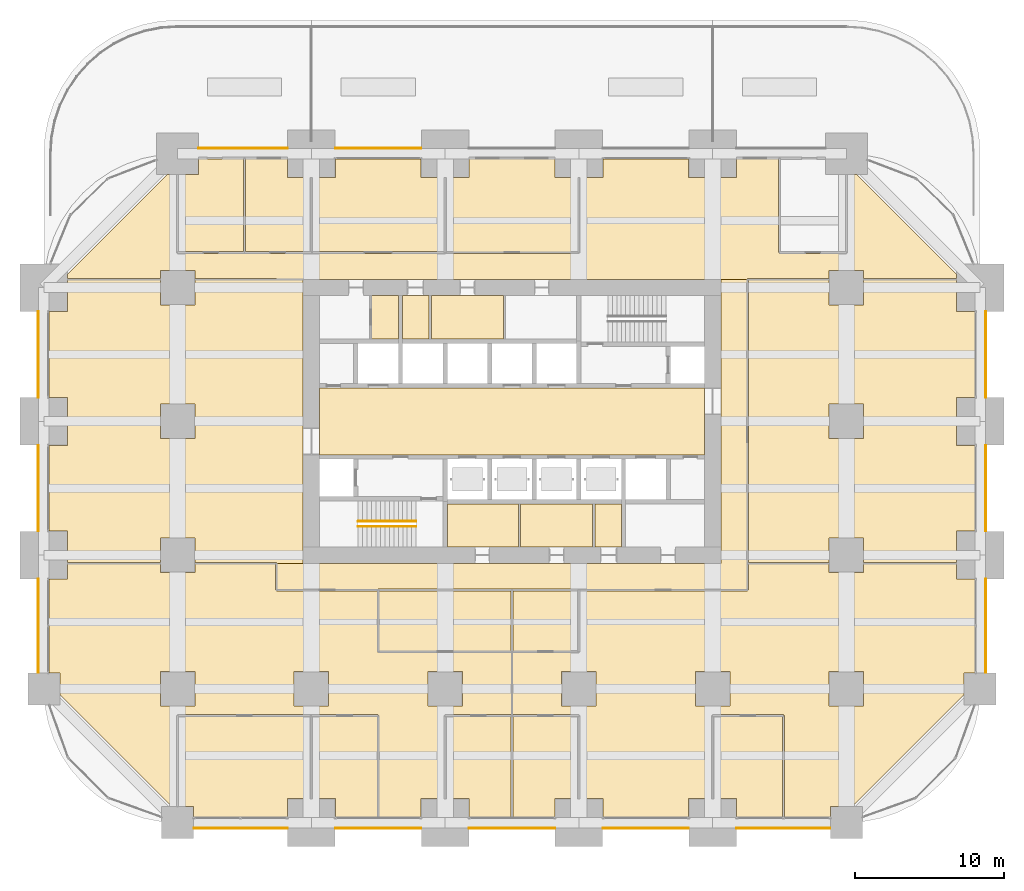
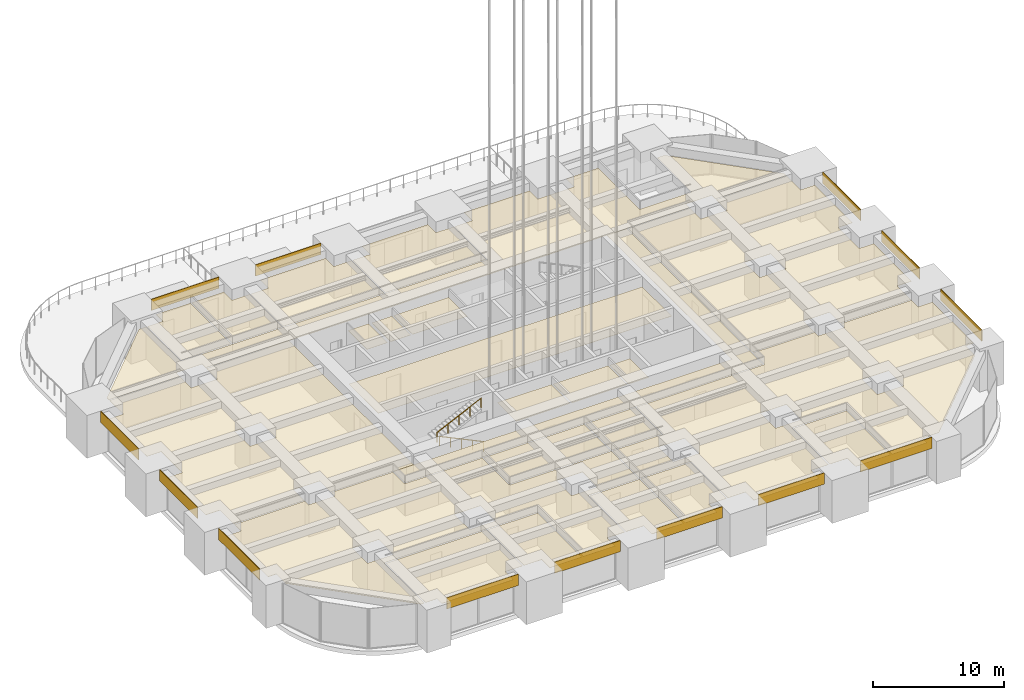
# One storey, part 40 of 50: 37 coverings, 2 railings.
"""IFC4 building model written with IfcOpenShell, lengths in metres."""

import ifcopenshell
import ifcopenshell.guid

model = None  # the IFC model being written
_history = None  # IfcOwnerHistory: only IFC2X3 demands one
_inside = {}  # id of a spatial element -> (the spatial element, [elements in it])
_under = {}  # id of a project, library or spatial element -> (it, [spatial elements below it])
_declared = {}  # id of a project -> (the project, [libraries it declares])
_typed = {}  # id of a type object -> (the type object, [elements of that type])
_made_of = {}  # id of a material, layer set ... -> (it, [elements and type objects made of it])


def new_model(schema):
    """Start an empty IFC model of exactly this schema.

    Asked for "IFC4X3", IfcOpenShell would pick the latest addendum, in which some entities
    have other attributes; the version numbers below select the first issue.
    IFC2X3 requires an IfcOwnerHistory on every rooted entity: one is made here for all.
    """
    global model, _history
    if schema == "IFC4X3":
        model = ifcopenshell.file(schema_version=(4, 3, 0, 0))
    else:
        model = ifcopenshell.file(schema=schema)
    _inside.clear()
    _under.clear()
    _declared.clear()
    _typed.clear()
    _made_of.clear()
    _history = None
    if model.schema == "IFC2X3":
        org = make("IfcOrganization", Name="unknown")
        user = make(
            "IfcPersonAndOrganization",
            ThePerson=make("IfcPerson", FamilyName="unknown"),
            TheOrganization=org,
        )
        app = make(
            "IfcApplication",
            ApplicationDeveloper=org,
            Version="unknown",
            ApplicationFullName="unknown",
            ApplicationIdentifier="unknown",
        )
        _history = make(
            "IfcOwnerHistory",
            OwningUser=user,
            OwningApplication=app,
            ChangeAction="ADDED",
            CreationDate=0,
        )
    return model


def make(cls, **values):
    """One entity of the class cls with the attributes given. An attribute that is None is left unset."""
    return model.create_entity(
        cls, **{name: value for name, value in values.items() if value is not None}
    )


def rooted(cls, **values):
    """An entity with a GlobalId (a new one), such as an element, a storey or a relation."""
    return make(cls, GlobalId=ifcopenshell.guid.new(), OwnerHistory=_history, **values)


def si_unit(unit_type, name, prefix=None):
    """IfcSIUnit, for example si_unit("LENGTHUNIT", "METRE", prefix="MILLI")."""
    return make("IfcSIUnit", UnitType=unit_type, Prefix=prefix, Name=name)


def assignment(units):
    """IfcUnitAssignment: the units of a project."""
    return None if units is None else make("IfcUnitAssignment", Units=units)


def point(xyz):
    """IfcCartesianPoint."""
    return None if xyz is None else make("IfcCartesianPoint", Coordinates=xyz)


def direction(xyz):
    """IfcDirection."""
    return None if xyz is None else make("IfcDirection", DirectionRatios=xyz)


def frame(location, z_axis=None, x_axis=None):
    """IfcAxis2Placement3D, a coordinate frame: its origin and axes. An axis left out is left unset."""
    return make(
        "IfcAxis2Placement3D",
        Location=point(location),
        Axis=direction(z_axis),
        RefDirection=direction(x_axis),
    )


def frame_2d(location, x_axis=None):
    """IfcAxis2Placement2D, a coordinate frame in the plane: its origin and x axis."""
    return make(
        "IfcAxis2Placement2D", Location=point(location), RefDirection=direction(x_axis)
    )


def origin():
    """The frame at (0, 0, 0) with its axes left unset."""
    return frame((0.0, 0.0, 0.0))


def origin_2d():
    """The frame at (0, 0) in the plane with its x axis left unset."""
    return frame_2d((0.0, 0.0))


def place(relative_to, where):
    """IfcLocalPlacement: puts the frame where relative to a parent placement (None: the world)."""
    return make(
        "IfcLocalPlacement", PlacementRelTo=relative_to, RelativePlacement=where
    )


def context(
    kind, dimensions, precision=None, world=None, true_north=None, identifier=None
):
    """IfcGeometricRepresentationContext, for example the 3D "Model" context."""
    return make(
        "IfcGeometricRepresentationContext",
        ContextIdentifier=identifier,
        ContextType=kind,
        CoordinateSpaceDimension=dimensions,
        Precision=precision,
        WorldCoordinateSystem=world,
        TrueNorth=true_north,
    )


def subcontext(parent, identifier, kind, view, scale=None):
    """IfcGeometricRepresentationSubContext, for example "Body" below "Model"."""
    return make(
        "IfcGeometricRepresentationSubContext",
        ContextIdentifier=identifier,
        ContextType=kind,
        ParentContext=parent,
        TargetScale=scale,
        TargetView=view,
    )


def project(units=None, contexts=None):
    """IfcProject with its units and contexts."""
    return rooted(
        "IfcProject",
        Name="project",
        RepresentationContexts=contexts,
        UnitsInContext=assignment(units),
    )


def spatial(cls, under=None, at=None, **own):
    """A site, building, storey or space (cls), placed at a placement, below another one or the project."""
    s = rooted(cls, ObjectPlacement=at, **own)
    if under is not None:
        _under.setdefault(under.id(), (under, []))[1].append(s)
    return s


def polyline(points):
    """IfcPolyline through the points."""
    return make("IfcPolyline", Points=[point(p) for p in points])


def profile(cls, at=None, kind="AREA", **sizes):
    """A parametric profile (cls). Its sizes go by their IFC names, for example OverallWidth=200.0."""
    return make(cls, ProfileType=kind, Position=at, **sizes)


def rectangle(**sizes):
    """IfcRectangleProfileDef."""
    return profile("IfcRectangleProfileDef", **sizes)


def circle(**sizes):
    """IfcCircleProfileDef."""
    return profile("IfcCircleProfileDef", **sizes)


def outline(outer, holes=None, kind="AREA"):
    """IfcArbitraryClosedProfileDef: a profile drawn as a closed curve; with holes, ...WithVoids."""
    if holes is None:
        return make("IfcArbitraryClosedProfileDef", ProfileType=kind, OuterCurve=outer)
    return make(
        "IfcArbitraryProfileDefWithVoids",
        ProfileType=kind,
        OuterCurve=outer,
        InnerCurves=holes,
    )


def extrude(swept, where, along, depth):
    """IfcExtrudedAreaSolid: the profile swept, set in the frame where, extruded along a direction by depth."""
    return make(
        "IfcExtrudedAreaSolid",
        SweptArea=swept,
        Position=where,
        ExtrudedDirection=direction(along),
        Depth=depth,
    )


def shape(context_of_items, identifier, shape_type, items):
    """IfcShapeRepresentation: the items that make up one representation, for example the "Body"."""
    return make(
        "IfcShapeRepresentation",
        ContextOfItems=context_of_items,
        RepresentationIdentifier=identifier,
        RepresentationType=shape_type,
        Items=items,
    )


def material(Name=None, Category=None):
    """IfcMaterial."""
    return make("IfcMaterial", Name=Name, Category=Category)


def layer(
    of_material, thickness, ventilated=None, Name=None, Category=None, Priority=None
):
    """IfcMaterialLayer: one layer of a wall or slab, of a material (None: an air gap)."""
    return make(
        "IfcMaterialLayer",
        Material=of_material,
        LayerThickness=thickness,
        IsVentilated=ventilated,
        Name=Name,
        Category=Category,
        Priority=Priority,
    )


def layer_set(layers, Name=None):
    """IfcMaterialLayerSet."""
    return make("IfcMaterialLayerSet", MaterialLayers=layers, LayerSetName=Name)


def made_of(thing, what):
    """Note that an element or type object is made of a material, layer set ...; save() writes the relation."""
    if what is not None:
        _made_of.setdefault(what.id(), (what, []))[1].append(thing)
    return thing


def type_object(cls, material=None, **own):
    """A type object (cls), such as IfcWallType, which elements share."""
    return made_of(rooted(cls, **own), material)


def element(
    cls,
    number,
    at=None,
    inside=None,
    cuts=None,
    type_object=None,
    material=None,
    context=None,
    identifier="Body",
    shape_type=None,
    held_by="IfcProductDefinitionShape",
    body=None,
    shapes=None,
    **own,
):
    """One element of the class cls, such as IfcWall. Its Tag is "e" and its number.

    at: its placement. inside: the storey or other place that contains it. cuts: it is an
    opening in that element (IfcRelVoidsElement). A single representation is given by context,
    identifier, shape_type and body (its items); several are given by shapes. held_by: the class
    of the entity that holds the representations. save() writes the other relations.
    """
    e = rooted(cls, Tag="e%d" % number, ObjectPlacement=at, **own)
    if body is not None:
        shapes = [shape(context, identifier, shape_type, body)]
    if shapes is not None:
        e.Representation = make(held_by, Representations=shapes)
    if inside is not None:
        _inside.setdefault(inside.id(), (inside, []))[1].append(e)
    if cuts is not None:
        rooted(
            "IfcRelVoidsElement", RelatingBuildingElement=cuts, RelatedOpeningElement=e
        )
    if type_object is not None:
        _typed.setdefault(type_object.id(), (type_object, []))[1].append(e)
    return made_of(e, material)


def aggregate(whole, parts):
    """IfcRelAggregates: a whole, such as a stair, and the parts it consists of."""
    return rooted("IfcRelAggregates", RelatingObject=whole, RelatedObjects=parts)


def save(model, path):
    """Write the relations noted so far, then the file.

    IfcRelAggregates (storeys below a building ...), IfcRelContainedInSpatialStructure (elements
    in a storey), IfcRelDefinesByType, IfcRelAssociatesMaterial and IfcRelDeclares: one each for
    every whole, place, type object, material and project.
    """
    for whole, parts in _under.values():
        aggregate(whole, parts)
    for where, things in _inside.values():
        rooted(
            "IfcRelContainedInSpatialStructure",
            RelatedElements=things,
            RelatingStructure=where,
        )
    for kind, things in _typed.values():
        rooted("IfcRelDefinesByType", RelatedObjects=things, RelatingType=kind)
    for what, things in _made_of.values():
        rooted("IfcRelAssociatesMaterial", RelatedObjects=things, RelatingMaterial=what)
    for by, libraries in _declared.values():
        rooted("IfcRelDeclares", RelatingContext=by, RelatedDefinitions=libraries)
    model.write(path)


model = new_model("IFC4")

# Units and contexts
model_context = context("Model", 3, precision=1e-05, world=origin(), true_north=direction((0.0, 1.0)))
body_context = subcontext(model_context, "Body", "Model", "MODEL_VIEW")
ifc_project = project(units=[si_unit("LENGTHUNIT", "METRE"), si_unit("AREAUNIT", "SQUARE_METRE"), si_unit("VOLUMEUNIT", "CUBIC_METRE"), si_unit("PLANEANGLEUNIT", "RADIAN"), si_unit("MASSUNIT", "GRAM", prefix="KILO")], contexts=[model_context])

# Site, building, storey
site_placement = place(None, origin())
site = spatial("IfcSite", under=ifc_project, at=site_placement, CompositionType="ELEMENT")
building_placement = place(site_placement, origin())
building = spatial("IfcBuilding", under=site, at=building_placement, Name="Zorevar Civic Tower", CompositionType="ELEMENT")
storey_placement = place(building_placement, frame((0.0, 0.0, 85.0)))
storey = spatial("IfcBuildingStorey", under=building, at=storey_placement, Name="L20", CompositionType="ELEMENT", Elevation=85.0)

# Railings
ifc_material_1 = material(Name="Black steel handrail", Category="steel")
railing_type = type_object("IfcRailingType", Name="Handrail HR1 900", PredefinedType="HANDRAIL", material=ifc_material_1)
railing_1_placement = place(storey_placement, frame((25.050048828125, 19.925048828125, 0.142822265625)))
element("IfcRailing", 1, at=railing_1_placement, inside=storey, type_object=railing_type, Name="Handrail HR1 ST1 L20", PredefinedType="HANDRAIL", context=body_context, shape_type="SweptSolid", body=[
    extrude(circle(Radius=0.02392578125, at=origin_2d()), frame((0.0, 0.0, 0.8759765625), z_axis=(-0.902863652845, 0.0, 0.429926998885), x_axis=(0.0, -1.0, 0.0)), (0.0, 0.0, 1.0), 4.31982421875),
    extrude(circle(Radius=0.02099609375, at=origin_2d()), origin(), (0.0, 0.0, 1.0), 0.851806640625),
    extrude(circle(Radius=0.02099609375, at=origin_2d()), frame((-0.97509765625, 0.0, 0.46435546875)), (0.0, 0.0, 1.0), 0.851806640625),
    extrude(circle(Radius=0.02099609375, at=origin_2d()), frame((-1.9501953125, 0.0, 0.9287109375)), (0.0, 0.0, 1.0), 0.851806640625),
    extrude(circle(Radius=0.02099609375, at=origin_2d()), frame((-2.925048828125, 0.0, 1.392822265625)), (0.0, 0.0, 1.0), 0.851806640625),
    extrude(circle(Radius=0.02099609375, at=origin_2d()), frame((-3.900146484375, 0.0, 1.857177734375)), (0.0, 0.0, 1.0), 0.851806640625),
])
railing_2_placement = place(storey_placement, frame((21.14990234375, 20.27490234375, 2.142822265625)))
element("IfcRailing", 2, at=railing_2_placement, inside=storey, type_object=railing_type, Name="Handrail HR1 ST1 L20", PredefinedType="HANDRAIL", context=body_context, shape_type="SweptSolid", body=[
    extrude(circle(Radius=0.02392578125, at=origin_2d()), frame((0.0, 0.0, 0.8759765625), z_axis=(0.902863652845, 0.0, 0.429926998885), x_axis=(0.0, 1.0, 0.0)), (0.0, 0.0, 1.0), 4.31982421875),
    extrude(circle(Radius=0.02099609375, at=origin_2d()), origin(), (0.0, 0.0, 1.0), 0.851806640625),
    extrude(circle(Radius=0.02099609375, at=origin_2d()), frame((0.97509765625, 0.0, 0.46435546875)), (0.0, 0.0, 1.0), 0.851806640625),
    extrude(circle(Radius=0.02099609375, at=origin_2d()), frame((1.9501953125, 0.0, 0.9287109375)), (0.0, 0.0, 1.0), 0.851806640625),
    extrude(circle(Radius=0.02099609375, at=origin_2d()), frame((2.925048828125, 0.0, 1.392822265625)), (0.0, 0.0, 1.0), 0.851806640625),
    extrude(circle(Radius=0.02099609375, at=origin_2d()), frame((3.900146484375, 0.0, 1.857177734375)), (0.0, 0.0, 1.0), 0.851806640625),
])

# Coverings
ifc_material_2 = material(Name="Moisture-resistant gypsum board")
ifc_layer_1 = layer(ifc_material_2, 0.012451171875)
ifc_layer_set_1 = layer_set([ifc_layer_1], Name="Moisture-resistant ceiling SC3")
covering_type_1 = type_object("IfcCoveringType", Name="Moisture-resistant ceiling SC3", PredefinedType="CEILING", material=ifc_layer_set_1)
covering_1_placement = place(storey_placement, frame((0.0, 0.0, 3.0)))
element("IfcCovering", 3, at=covering_1_placement, inside=storey, type_object=covering_type_1, Name="Ceiling L20-05", PredefinedType="CEILING", context=body_context, shape_type="SweptSolid", body=[
    extrude(outline(polyline([(31.925048828125, 18.550048828125), (31.925048828125, 21.449951171875), (27.14990234375, 21.449951171875), (27.14990234375, 18.550048828125), (31.925048828125, 18.550048828125)])), origin(), (0.0, 0.0, 1.0), 0.012451171875),
])
covering_2_placement = place(storey_placement, frame((0.0, 0.0, 3.0)))
element("IfcCovering", 4, at=covering_2_placement, inside=storey, type_object=covering_type_1, Name="Ceiling L20-06", PredefinedType="CEILING", context=body_context, shape_type="SweptSolid", body=[
    extrude(outline(polyline([(36.925048828125, 18.550048828125), (36.925048828125, 21.449951171875), (32.074951171875, 21.449951171875), (32.074951171875, 18.550048828125), (36.925048828125, 18.550048828125)])), origin(), (0.0, 0.0, 1.0), 0.012451171875),
])
covering_3_placement = place(storey_placement, frame((0.0, 0.0, 3.0)))
element("IfcCovering", 5, at=covering_3_placement, inside=storey, type_object=covering_type_1, Name="Ceiling L20-07", PredefinedType="CEILING", context=body_context, shape_type="SweptSolid", body=[
    extrude(outline(polyline([(38.85009765625, 18.550048828125), (38.85009765625, 21.449951171875), (37.074951171875, 21.449951171875), (37.074951171875, 18.550048828125), (38.85009765625, 18.550048828125)])), origin(), (0.0, 0.0, 1.0), 0.012451171875),
])
covering_4_placement = place(storey_placement, frame((0.0, 0.0, 3.0)))
element("IfcCovering", 6, at=covering_4_placement, inside=storey, type_object=covering_type_1, Name="Ceiling L20-09", PredefinedType="CEILING", context=body_context, shape_type="SweptSolid", body=[
    extrude(outline(polyline([(30.925048828125, 32.550048828125), (30.925048828125, 35.449951171875), (26.074951171875, 35.449951171875), (26.074951171875, 32.550048828125), (30.925048828125, 32.550048828125)])), origin(), (0.0, 0.0, 1.0), 0.012451171875),
])
covering_5_placement = place(storey_placement, frame((0.0, 0.0, 3.0)))
element("IfcCovering", 7, at=covering_5_placement, inside=storey, type_object=covering_type_1, Name="Ceiling L20-10", PredefinedType="CEILING", context=body_context, shape_type="SweptSolid", body=[
    extrude(outline(polyline([(25.925048828125, 32.550048828125), (25.925048828125, 35.449951171875), (24.14990234375, 35.449951171875), (24.14990234375, 32.550048828125), (25.925048828125, 32.550048828125)])), origin(), (0.0, 0.0, 1.0), 0.012451171875),
])
ifc_material_3 = material(Name="Black anodised aluminium spandrel panel", Category="aluminium")
ifc_layer_2 = layer(ifc_material_3, 0.050048828125)
ifc_layer_set_2 = layer_set([ifc_layer_2], Name="Spandrel cladding SP1")
covering_type_2 = type_object("IfcCoveringType", Name="Spandrel cladding SP1", PredefinedType="CLADDING", material=ifc_layer_set_2)
covering_6_placement = place(storey_placement, frame((10.074951171875, -0.375, 2.949951171875), z_axis=(0.0, 0.0, 1.0), x_axis=(1.0, 0.0, 0.0)))
element("IfcCovering", 8, at=covering_6_placement, inside=storey, type_object=covering_type_2, Name="Spandrel cladding L21", PredefinedType="CLADDING", context=body_context, shape_type="SweptSolid", body=[
    extrude(rectangle(XDim=6.324951171875, YDim=0.050048828125, at=frame_2d((3.16259765625, 0.0))), origin(), (0.0, 0.0, 1.0), 1.050048828125),
])
for number, where, z_axis, x_axis, name in (
    (9, (19.60009765625, -0.375, 2.949951171875), (0.0, 0.0, 1.0), (1.0, 0.0, 0.0), "Spandrel cladding L21"),
    (10, (28.60009765625, -0.375, 2.949951171875), (0.0, 0.0, 1.0), (1.0, 0.0, 0.0), "Spandrel cladding L21"),
    (11, (37.60009765625, -0.375, 2.949951171875), (0.0, 0.0, 1.0), (1.0, 0.0, 0.0), "Spandrel cladding L21"),
):
    element("IfcCovering", number, at=place(storey_placement, frame(where, z_axis=z_axis, x_axis=x_axis)), inside=storey, type_object=covering_type_2, Name=name, PredefinedType="CLADDING", context=body_context, shape_type="SweptSolid", body=[
        extrude(rectangle(XDim=5.7998046875, YDim=0.050048828125, at=frame_2d((2.89990234375, 0.0))), origin(), (0.0, 0.0, 1.0), 1.050048828125),
    ])
covering_7_placement = place(storey_placement, frame((46.60009765625, -0.375, 2.949951171875), z_axis=(0.0, 0.0, 1.0), x_axis=(1.0, 0.0, 0.0)))
element("IfcCovering", 12, at=covering_7_placement, inside=storey, type_object=covering_type_2, Name="Spandrel cladding L21", PredefinedType="CLADDING", context=body_context, shape_type="SweptSolid", body=[
    extrude(rectangle(XDim=6.324951171875, YDim=0.050048828125, at=frame_2d((3.16259765625, 0.0))), origin(), (0.0, 0.0, 1.0), 1.050048828125),
])
covering_8_placement = place(storey_placement, frame((10.39990234375, 45.375, 2.949951171875), z_axis=(0.0, 0.0, 1.0), x_axis=(1.0, 0.0, 0.0)))
element("IfcCovering", 13, at=covering_8_placement, inside=storey, type_object=covering_type_2, Name="Spandrel cladding L21", PredefinedType="CLADDING", context=body_context, shape_type="SweptSolid", body=[
    extrude(rectangle(XDim=6.0, YDim=0.050048828125, at=frame_2d((3.0, 0.0))), origin(), (0.0, 0.0, 1.0), 1.050048828125),
])
covering_9_placement = place(storey_placement, frame((19.60009765625, 45.375, 2.949951171875), z_axis=(0.0, 0.0, 1.0), x_axis=(1.0, 0.0, 0.0)))
element("IfcCovering", 14, at=covering_9_placement, inside=storey, type_object=covering_type_2, Name="Spandrel cladding L21", PredefinedType="CLADDING", context=body_context, shape_type="SweptSolid", body=[
    extrude(rectangle(XDim=5.7998046875, YDim=0.050048828125, at=frame_2d((2.89990234375, 0.0))), origin(), (0.0, 0.0, 1.0), 1.050048828125),
])
covering_10_placement = place(storey_placement, frame((-0.375, 10.074951171875, 2.949951171875), z_axis=(0.0, 0.0, 1.0), x_axis=(0.0, 1.0, 0.0)))
element("IfcCovering", 15, at=covering_10_placement, inside=storey, type_object=covering_type_2, Name="Spandrel cladding L21", PredefinedType="CLADDING", context=body_context, shape_type="SweptSolid", body=[
    extrude(rectangle(XDim=6.324951171875, YDim=0.050048828125, at=frame_2d((3.16259765625, 0.0))), origin(), (0.0, 0.0, 1.0), 1.050048828125),
])
for number, where, z_axis, x_axis, name in (
    (16, (-0.375, 19.60009765625, 2.949951171875), (0.0, 0.0, 1.0), (0.0, 1.0, 0.0), "Spandrel cladding L21"),
    (17, (-0.375, 28.60009765625, 2.949951171875), (0.0, 0.0, 1.0), (0.0, 1.0, 0.0), "Spandrel cladding L21"),
):
    element("IfcCovering", number, at=place(storey_placement, frame(where, z_axis=z_axis, x_axis=x_axis)), inside=storey, type_object=covering_type_2, Name=name, PredefinedType="CLADDING", context=body_context, shape_type="SweptSolid", body=[
        extrude(rectangle(XDim=5.7998046875, YDim=0.050048828125, at=frame_2d((2.89990234375, 0.0))), origin(), (0.0, 0.0, 1.0), 1.050048828125),
    ])
covering_11_placement = place(storey_placement, frame((63.375, 10.074951171875, 2.949951171875), z_axis=(0.0, 0.0, 1.0), x_axis=(0.0, 1.0, 0.0)))
element("IfcCovering", 18, at=covering_11_placement, inside=storey, type_object=covering_type_2, Name="Spandrel cladding L21", PredefinedType="CLADDING", context=body_context, shape_type="SweptSolid", body=[
    extrude(rectangle(XDim=6.324951171875, YDim=0.050048828125, at=frame_2d((3.16259765625, 0.0))), origin(), (0.0, 0.0, 1.0), 1.050048828125),
])
for number, where, z_axis, x_axis, name in (
    (19, (63.375, 19.60009765625, 2.949951171875), (0.0, 0.0, 1.0), (0.0, 1.0, 0.0), "Spandrel cladding L21"),
    (20, (63.375, 28.60009765625, 2.949951171875), (0.0, 0.0, 1.0), (0.0, 1.0, 0.0), "Spandrel cladding L21"),
):
    element("IfcCovering", number, at=place(storey_placement, frame(where, z_axis=z_axis, x_axis=x_axis)), inside=storey, type_object=covering_type_2, Name=name, PredefinedType="CLADDING", context=body_context, shape_type="SweptSolid", body=[
        extrude(rectangle(XDim=5.7998046875, YDim=0.050048828125, at=frame_2d((2.89990234375, 0.0))), origin(), (0.0, 0.0, 1.0), 1.050048828125),
    ])
ifc_material_4 = material(Name="Mineral fibre tiles on a concealed grid")
ifc_layer_3 = layer(ifc_material_4, 0.02001953125)
ifc_layer_set_3 = layer_set([ifc_layer_3], Name="Suspended ceiling SC1")
covering_type_3 = type_object("IfcCoveringType", Name="Suspended ceiling SC1", PredefinedType="CEILING", material=ifc_layer_set_3)
covering_12_placement = place(storey_placement, frame((0.0, 0.0, 3.0)))
element("IfcCovering", 21, at=covering_12_placement, inside=storey, type_object=covering_type_3, Name="Ceiling L20-12", PredefinedType="CEILING", context=body_context, shape_type="SweptSolid", body=[
    extrude(outline(polyline([(23.85009765625, 32.550048828125), (23.85009765625, 35.449951171875), (22.06005859375, 35.449951171875), (22.06005859375, 32.550048828125), (23.85009765625, 32.550048828125)])), origin(), (0.0, 0.0, 1.0), 0.02001953125),
])
covering_13_placement = place(storey_placement, frame((0.0, 0.0, 3.0)))
element("IfcCovering", 22, at=covering_13_placement, inside=storey, type_object=covering_type_3, Name="Ceiling L20-16", PredefinedType="CEILING", context=body_context, shape_type="SweptSolid", body=[
    extrude(outline(polyline([(44.449951171875, 24.75), (44.449951171875, 29.25), (18.550048828125, 29.25), (18.550048828125, 24.75), (44.449951171875, 24.75)])), origin(), (0.0, 0.0, 1.0), 0.02001953125),
])
covering_14_placement = place(storey_placement, frame((0.0, 0.0, 3.0)))
element("IfcCovering", 23, at=covering_14_placement, inside=storey, type_object=covering_type_3, Name="Ceiling L20-17", PredefinedType="CEILING", context=body_context, shape_type="SweptSolid", body=[
    extrude(outline(polyline([(9.06005859375, 38.409912109375), (9.06005859375, 43.590087890625), (10.409912109375, 43.590087890625), (10.409912109375, 44.64990234375), (13.43994140625, 44.64990234375), (13.43994140625, 38.409912109375), (9.06005859375, 38.409912109375)])), origin(), (0.0, 0.0, 1.0), 0.02001953125),
])
covering_15_placement = place(storey_placement, frame((0.0, 0.0, 3.0)))
element("IfcCovering", 24, at=covering_15_placement, inside=storey, type_object=covering_type_3, Name="Ceiling L20-18", PredefinedType="CEILING", context=body_context, shape_type="SweptSolid", body=[
    extrude(outline(polyline([(13.56005859375, 38.409912109375), (13.56005859375, 44.64990234375), (16.389892578125, 44.64990234375), (16.389892578125, 43.389892578125), (17.93994140625, 43.389892578125), (17.93994140625, 38.409912109375), (13.56005859375, 38.409912109375)])), origin(), (0.0, 0.0, 1.0), 0.02001953125),
])
covering_16_placement = place(storey_placement, frame((0.0, 0.0, 3.0)))
element("IfcCovering", 25, at=covering_16_placement, inside=storey, type_object=covering_type_3, Name="Ceiling L20-19", PredefinedType="CEILING", context=body_context, shape_type="SweptSolid", body=[
    extrude(outline(polyline([(19.610107421875, 43.389892578125), (19.610107421875, 44.64990234375), (25.389892578125, 44.64990234375), (25.389892578125, 43.389892578125), (26.93994140625, 43.389892578125), (26.93994140625, 38.409912109375), (18.06005859375, 38.409912109375), (18.06005859375, 43.389892578125), (19.610107421875, 43.389892578125)])), origin(), (0.0, 0.0, 1.0), 0.02001953125),
])
covering_17_placement = place(storey_placement, frame((0.0, 0.0, 3.0)))
element("IfcCovering", 26, at=covering_17_placement, inside=storey, type_object=covering_type_3, Name="Ceiling L20-20", PredefinedType="CEILING", context=body_context, shape_type="SweptSolid", body=[
    extrude(outline(polyline([(28.610107421875, 43.389892578125), (28.610107421875, 44.64990234375), (34.389892578125, 44.64990234375), (34.389892578125, 43.389892578125), (35.949951171875, 43.389892578125), (35.949951171875, 38.39990234375), (27.06005859375, 38.39990234375), (27.06005859375, 43.389892578125), (28.610107421875, 43.389892578125)])), origin(), (0.0, 0.0, 1.0), 0.02001953125),
])
covering_18_placement = place(storey_placement, frame((0.0, 0.0, 3.0)))
element("IfcCovering", 27, at=covering_18_placement, inside=storey, type_object=covering_type_3, Name="Ceiling L20-22", PredefinedType="CEILING", context=body_context, shape_type="SweptSolid", body=[
    extrude(outline(polyline([(22.56005859375, 11.56005859375), (22.56005859375, 15.590087890625), (31.43994140625, 15.590087890625), (31.43994140625, 11.56005859375), (22.56005859375, 11.56005859375)])), origin(), (0.0, 0.0, 1.0), 0.02001953125),
])
covering_19_placement = place(storey_placement, frame((0.0, 0.0, 3.0)))
element("IfcCovering", 28, at=covering_19_placement, inside=storey, type_object=covering_type_3, Name="Ceiling L20-23", PredefinedType="CEILING", context=body_context, shape_type="SweptSolid", body=[
    extrude(outline(polyline([(31.56005859375, 11.56005859375), (31.56005859375, 15.590087890625), (35.93994140625, 15.590087890625), (35.93994140625, 11.56005859375), (31.56005859375, 11.56005859375)])), origin(), (0.0, 0.0, 1.0), 0.02001953125),
])
covering_20_placement = place(storey_placement, frame((0.0, 0.0, 3.0)))
element("IfcCovering", 29, at=covering_20_placement, inside=storey, type_object=covering_type_3, Name="Ceiling L20-24", PredefinedType="CEILING", context=body_context, shape_type="SweptSolid", body=[
    extrude(outline(polyline([(10.0849609375, 0.35009765625), (10.0849609375, 1.0849609375), (9.06005859375, 1.0849609375), (9.06005859375, 7.139892578125), (17.93994140625, 7.139892578125), (17.93994140625, 1.610107421875), (16.389892578125, 1.610107421875), (16.389892578125, 0.35009765625), (10.0849609375, 0.35009765625)])), origin(), (0.0, 0.0, 1.0), 0.02001953125),
])
covering_21_placement = place(storey_placement, frame((0.0, 0.0, 3.0)))
element("IfcCovering", 30, at=covering_21_placement, inside=storey, type_object=covering_type_3, Name="Ceiling L20-25", PredefinedType="CEILING", context=body_context, shape_type="SweptSolid", body=[
    extrude(outline(polyline([(22.43994140625, 7.139892578125), (22.43994140625, 0.35009765625), (19.610107421875, 0.35009765625), (19.610107421875, 1.610107421875), (18.06005859375, 1.610107421875), (18.06005859375, 7.139892578125), (22.43994140625, 7.139892578125)])), origin(), (0.0, 0.0, 1.0), 0.02001953125),
])
covering_22_placement = place(storey_placement, frame((0.0, 0.0, 3.0)))
element("IfcCovering", 31, at=covering_22_placement, inside=storey, type_object=covering_type_3, Name="Ceiling L20-26", PredefinedType="CEILING", context=body_context, shape_type="SweptSolid", body=[
    extrude(outline(polyline([(31.43994140625, 7.139892578125), (31.43994140625, 0.35009765625), (28.610107421875, 0.35009765625), (28.610107421875, 1.610107421875), (27.06005859375, 1.610107421875), (27.06005859375, 7.139892578125), (31.43994140625, 7.139892578125)])), origin(), (0.0, 0.0, 1.0), 0.02001953125),
])
covering_23_placement = place(storey_placement, frame((0.0, 0.0, 3.0)))
element("IfcCovering", 32, at=covering_23_placement, inside=storey, type_object=covering_type_3, Name="Ceiling L20-27", PredefinedType="CEILING", context=body_context, shape_type="SweptSolid", body=[
    extrude(outline(polyline([(35.93994140625, 7.139892578125), (35.93994140625, 1.610107421875), (34.389892578125, 1.610107421875), (34.389892578125, 0.35009765625), (31.56005859375, 0.35009765625), (31.56005859375, 7.139892578125), (35.93994140625, 7.139892578125)])), origin(), (0.0, 0.0, 1.0), 0.02001953125),
])
covering_24_placement = place(storey_placement, frame((0.0, 0.0, 3.0)))
element("IfcCovering", 33, at=covering_24_placement, inside=storey, type_object=covering_type_3, Name="Ceiling L20-28", PredefinedType="CEILING", context=body_context, shape_type="SweptSolid", body=[
    extrude(outline(polyline([(49.702392578125, 7.139892578125), (49.702392578125, 0.35009765625), (46.610107421875, 0.35009765625), (46.610107421875, 1.610107421875), (45.06005859375, 1.610107421875), (45.06005859375, 7.139892578125), (49.702392578125, 7.139892578125)])), origin(), (0.0, 0.0, 1.0), 0.02001953125),
])
covering_25_placement = place(storey_placement, frame((0.0, 0.0, 3.0)))
element("IfcCovering", 34, at=covering_25_placement, inside=storey, type_object=covering_type_3, Name="Ceiling L20-29", PredefinedType="CEILING", context=body_context, shape_type="SweptSolid", body=[
    extrude(outline(polyline([(47.300048828125, 15.699951171875), (36.0, 15.699951171875), (36.0, 15.7099609375), (22.5, 15.7099609375), (22.5, 15.699951171875), (15.699951171875, 15.699951171875), (15.699951171875, 17.449951171875), (45.550048828125, 17.449951171875), (45.550048828125, 36.550048828125), (47.300048828125, 36.550048828125), (47.300048828125, 15.699951171875)])), origin(), (0.0, 0.0, 1.0), 0.02001953125),
])
covering_26_placement = place(storey_placement, frame((0.0, 0.0, 3.0)))
element("IfcCovering", 35, at=covering_26_placement, inside=storey, type_object=covering_type_3, Name="Ceiling L20-30", PredefinedType="CEILING", context=body_context, shape_type="SweptSolid", body=[
    extrude(outline(polyline([(62.64990234375, 28.610107421875), (61.389892578125, 28.610107421875), (61.389892578125, 25.389892578125), (62.64990234375, 25.389892578125), (62.64990234375, 19.610107421875), (61.389892578125, 19.610107421875), (61.389892578125, 17.5), (55.159912109375, 17.5), (55.159912109375, 19.159912109375), (52.840087890625, 19.159912109375), (52.840087890625, 17.5), (47.39990234375, 17.5), (47.39990234375, 36.5), (52.840087890625, 36.5), (52.840087890625, 34.840087890625), (55.159912109375, 34.840087890625), (55.159912109375, 36.5), (61.389892578125, 36.5), (61.389892578125, 34.389892578125), (62.64990234375, 34.389892578125), (62.64990234375, 28.610107421875)]), holes=[polyline([(55.159912109375, 28.159912109375), (52.840087890625, 28.159912109375), (52.840087890625, 25.840087890625), (55.159912109375, 25.840087890625), (55.159912109375, 28.159912109375)])]), origin(), (0.0, 0.0, 1.0), 0.02001953125),
])
covering_27_placement = place(storey_placement, frame((0.0, 0.0, 3.0)))
element("IfcCovering", 36, at=covering_27_placement, inside=storey, type_object=covering_type_3, Name="Ceiling L20-31", PredefinedType="CEILING", context=body_context, shape_type="SweptSolid", body=[
    extrude(outline(polyline([(9.0, 38.2900390625), (27.0, 38.2900390625), (27.0, 38.300048828125), (36.0, 38.300048828125), (36.0, 38.35009765625), (36.050048828125, 38.35009765625), (36.050048828125, 43.389892578125), (37.610107421875, 43.389892578125), (37.610107421875, 44.64990234375), (43.389892578125, 44.64990234375), (43.389892578125, 43.389892578125), (46.610107421875, 43.389892578125), (46.610107421875, 44.64990234375), (49.43994140625, 44.64990234375), (49.43994140625, 38.35009765625), (49.5, 38.35009765625), (49.5, 38.2900390625), (54.0, 38.2900390625), (54.0, 38.35009765625), (54.06005859375, 38.35009765625), (54.06005859375, 43.590087890625), (54.702880859375, 43.590087890625), (61.389892578125, 36.90283203125), (61.389892578125, 36.60009765625), (55.159912109375, 36.60009765625), (55.159912109375, 37.159912109375), (52.840087890625, 37.159912109375), (52.840087890625, 36.60009765625), (47.35009765625, 36.60009765625), (47.35009765625, 36.550048828125), (15.64990234375, 36.550048828125), (15.64990234375, 36.60009765625), (10.159912109375, 36.60009765625), (10.159912109375, 37.159912109375), (7.840087890625, 37.159912109375), (7.840087890625, 36.60009765625), (1.610107421875, 36.60009765625), (1.610107421875, 36.90283203125), (8.297119140625, 43.590087890625), (8.93994140625, 43.590087890625), (8.93994140625, 38.35009765625), (9.0, 38.35009765625), (9.0, 38.2900390625)])), origin(), (0.0, 0.0, 1.0), 0.02001953125),
])
covering_28_placement = place(storey_placement, frame((0.0, 0.0, 3.0)))
element("IfcCovering", 37, at=covering_28_placement, inside=storey, type_object=covering_type_3, Name="Ceiling L20-32", PredefinedType="CEILING", context=body_context, shape_type="SweptSolid", body=[
    extrude(outline(polyline([(1.0849609375, 10.0849609375), (0.35009765625, 10.0849609375), (0.35009765625, 16.389892578125), (1.610107421875, 16.389892578125), (1.610107421875, 17.39990234375), (7.840087890625, 17.39990234375), (7.840087890625, 16.840087890625), (10.159912109375, 16.840087890625), (10.159912109375, 17.39990234375), (15.60009765625, 17.39990234375), (15.60009765625, 15.64990234375), (15.64990234375, 15.64990234375), (15.64990234375, 15.60009765625), (22.43994140625, 15.60009765625), (22.43994140625, 11.5), (22.5, 11.5), (22.5, 11.43994140625), (31.449951171875, 11.43994140625), (31.449951171875, 7.260009765625), (27.0, 7.260009765625), (27.0, 7.199951171875), (26.93994140625, 7.199951171875), (26.93994140625, 1.610107421875), (25.389892578125, 1.610107421875), (25.389892578125, 0.35009765625), (22.56005859375, 0.35009765625), (22.56005859375, 7.199951171875), (22.5, 7.199951171875), (22.5, 7.260009765625), (9.0, 7.260009765625), (9.0, 7.199951171875), (8.93994140625, 7.199951171875), (8.93994140625, 1.0849609375), (8.6220703125, 1.0849609375), (1.0849609375, 8.6220703125), (1.0849609375, 10.0849609375)]), holes=[polyline([(7.840087890625, 10.159912109375), (7.840087890625, 7.840087890625), (10.159912109375, 7.840087890625), (10.159912109375, 10.159912109375), (7.840087890625, 10.159912109375)]), polyline([(19.159912109375, 7.840087890625), (19.159912109375, 10.159912109375), (16.840087890625, 10.159912109375), (16.840087890625, 7.840087890625), (19.159912109375, 7.840087890625)]), polyline([(25.840087890625, 10.159912109375), (25.840087890625, 7.840087890625), (28.159912109375, 7.840087890625), (28.159912109375, 10.159912109375), (25.840087890625, 10.159912109375)])]), origin(), (0.0, 0.0, 1.0), 0.02001953125),
])
covering_29_placement = place(storey_placement, frame((0.0, 0.0, 3.0)))
element("IfcCovering", 38, at=covering_29_placement, inside=storey, type_object=covering_type_3, Name="Ceiling L20-33", PredefinedType="CEILING", context=body_context, shape_type="SweptSolid", body=[
    extrude(outline(polyline([(47.35009765625, 15.60009765625), (47.35009765625, 15.64990234375), (47.39990234375, 15.64990234375), (47.39990234375, 17.39990234375), (52.840087890625, 17.39990234375), (52.840087890625, 16.840087890625), (55.159912109375, 16.840087890625), (55.159912109375, 17.39990234375), (61.389892578125, 17.39990234375), (61.389892578125, 16.389892578125), (62.64990234375, 16.389892578125), (62.64990234375, 10.0849609375), (61.9150390625, 10.0849609375), (61.9150390625, 8.6220703125), (54.3779296875, 1.0849609375), (52.9150390625, 1.0849609375), (52.9150390625, 0.35009765625), (49.822509765625, 0.35009765625), (49.822509765625, 7.199951171875), (49.762451171875, 7.199951171875), (49.762451171875, 7.260009765625), (45.0, 7.260009765625), (45.0, 7.199951171875), (44.93994140625, 7.199951171875), (44.93994140625, 1.610107421875), (43.389892578125, 1.610107421875), (43.389892578125, 0.35009765625), (37.610107421875, 0.35009765625), (37.610107421875, 1.610107421875), (36.06005859375, 1.610107421875), (36.06005859375, 7.199951171875), (36.0, 7.199951171875), (36.0, 7.260009765625), (31.550048828125, 7.260009765625), (31.550048828125, 11.43994140625), (36.0, 11.43994140625), (36.0, 11.5), (36.06005859375, 11.5), (36.06005859375, 15.60009765625), (47.35009765625, 15.60009765625)]), holes=[polyline([(37.159912109375, 10.159912109375), (34.840087890625, 10.159912109375), (34.840087890625, 7.840087890625), (37.159912109375, 7.840087890625), (37.159912109375, 10.159912109375)]), polyline([(43.840087890625, 7.840087890625), (46.159912109375, 7.840087890625), (46.159912109375, 10.159912109375), (43.840087890625, 10.159912109375), (43.840087890625, 7.840087890625)]), polyline([(55.159912109375, 10.159912109375), (52.840087890625, 10.159912109375), (52.840087890625, 7.840087890625), (55.159912109375, 7.840087890625), (55.159912109375, 10.159912109375)])]), origin(), (0.0, 0.0, 1.0), 0.02001953125),
])
covering_30_placement = place(storey_placement, frame((0.0, 0.0, 3.0)))
element("IfcCovering", 39, at=covering_30_placement, inside=storey, type_object=covering_type_3, Name="Ceiling L20-34", PredefinedType="CEILING", context=body_context, shape_type="SweptSolid", body=[
    extrude(outline(polyline([(0.35009765625, 19.610107421875), (0.35009765625, 25.389892578125), (1.610107421875, 25.389892578125), (1.610107421875, 28.610107421875), (0.35009765625, 28.610107421875), (0.35009765625, 34.389892578125), (1.610107421875, 34.389892578125), (1.610107421875, 36.5), (7.840087890625, 36.5), (7.840087890625, 34.840087890625), (10.159912109375, 34.840087890625), (10.159912109375, 36.5), (15.64990234375, 36.5), (15.64990234375, 36.550048828125), (17.449951171875, 36.550048828125), (17.449951171875, 17.449951171875), (15.64990234375, 17.449951171875), (15.64990234375, 17.5), (10.159912109375, 17.5), (10.159912109375, 19.159912109375), (7.840087890625, 19.159912109375), (7.840087890625, 17.5), (1.610107421875, 17.5), (1.610107421875, 19.610107421875), (0.35009765625, 19.610107421875)]), holes=[polyline([(7.840087890625, 28.159912109375), (7.840087890625, 25.840087890625), (10.159912109375, 25.840087890625), (10.159912109375, 28.159912109375), (7.840087890625, 28.159912109375)])]), origin(), (0.0, 0.0, 1.0), 0.02001953125),
])

save(model, "model.ifc")
